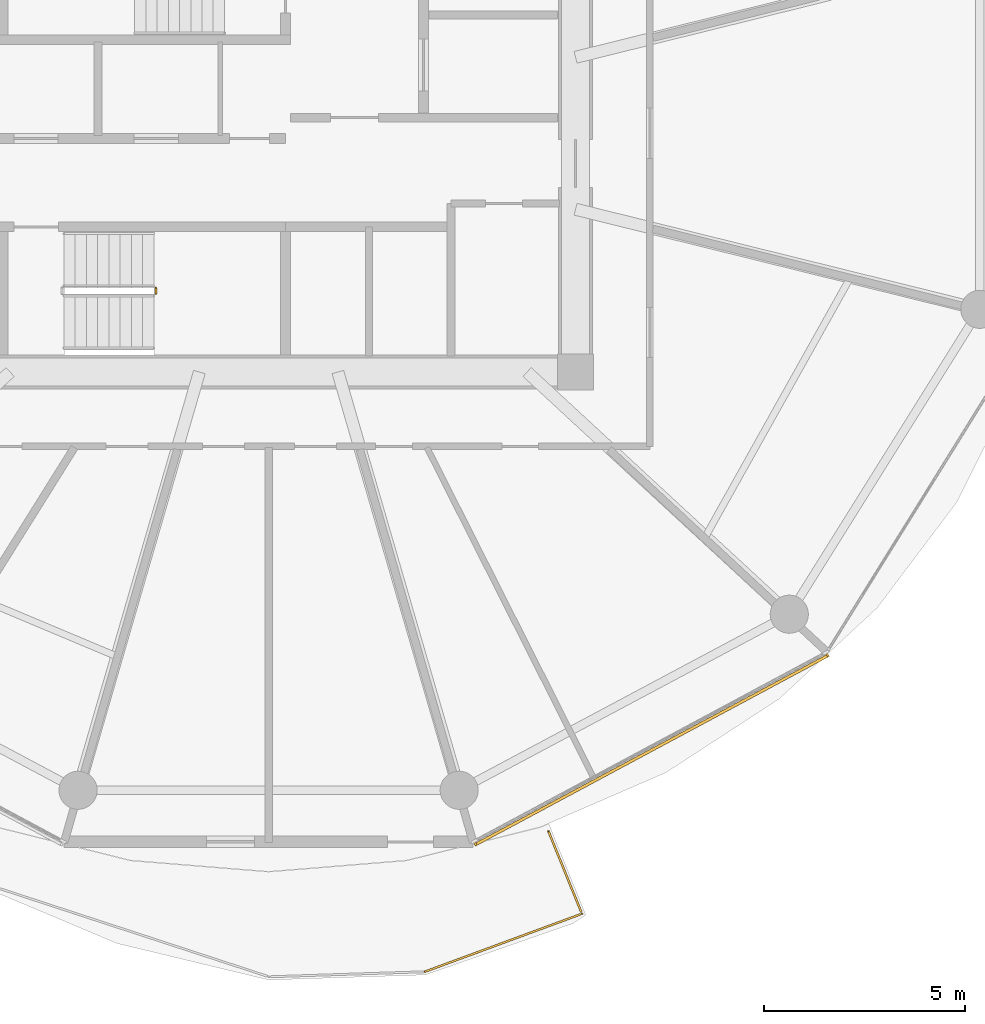
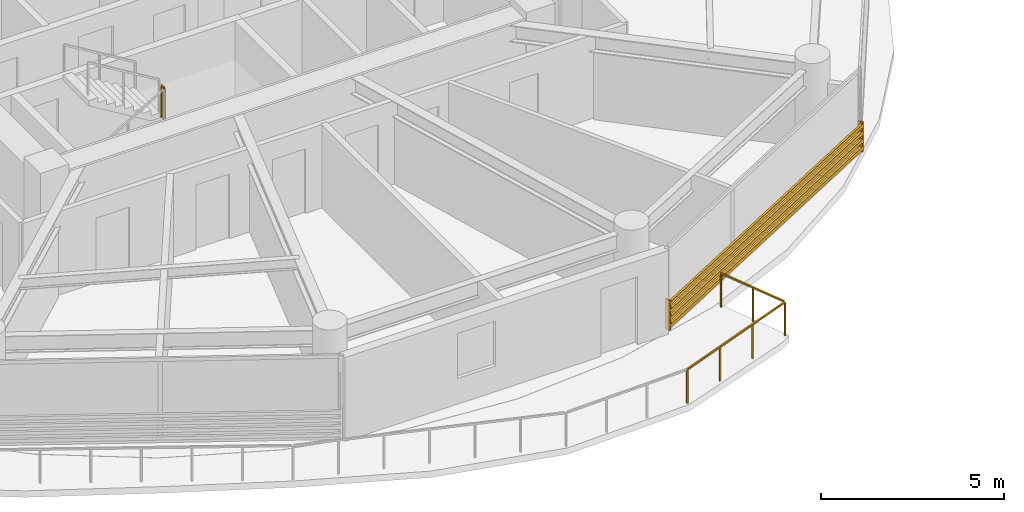
# One storey, part 23 of 27: 2 railings, 1 shading device.
"""IFC4 building model written with IfcOpenShell, lengths in metres."""

from ifc_helpers import new_model, si_unit, direction, frame, origin, origin_2d, place, context, subcontext, project, spatial, rectangle, extrude, source, transform, mapped, material, type_object, type_shapes, element, save


model = new_model("IFC4")

# Units and contexts
model_context = context("Model", 3, precision=1e-05, world=origin(), true_north=direction((0.0, 1.0)))
body_context = subcontext(model_context, "Body", "Model", "MODEL_VIEW")
ifc_project = project(units=[si_unit("LENGTHUNIT", "METRE"), si_unit("AREAUNIT", "SQUARE_METRE"), si_unit("VOLUMEUNIT", "CUBIC_METRE"), si_unit("PLANEANGLEUNIT", "RADIAN"), si_unit("MASSUNIT", "GRAM", prefix="KILO")], contexts=[model_context])

# Site, building, storey
site_placement = place(None, origin())
site = spatial("IfcSite", under=ifc_project, at=site_placement, CompositionType="ELEMENT")
building_placement = place(site_placement, origin())
building = spatial("IfcBuilding", under=site, at=building_placement, Name="Norrkilde Senior Care Towers", CompositionType="ELEMENT")
storey_placement = place(building_placement, frame((0.0, 0.0, 46.0)))
storey = spatial("IfcBuildingStorey", under=building, at=storey_placement, Name="L13", CompositionType="ELEMENT", Elevation=46.0)

# Railings
ifc_material_1 = material(Name="Anodised Aluminium", Category="aluminium")
railing_type_1 = type_object("IfcRailingType", Name="Balcony Swirl Ribbon Guardrail 1150", PredefinedType="GUARDRAIL", material=ifc_material_1)
railing_1_placement = place(storey_placement, frame((-21.024658203125, -17.3984375, 0.0)))
element("IfcRailing", 1, at=railing_1_placement, inside=storey, type_object=railing_type_1, Name="L13 Perimeter Safety Guard 04", PredefinedType="GUARDRAIL", context=body_context, shape_type="SweptSolid", body=[
    extrude(rectangle(XDim=0.048095703125, YDim=0.048095703125, at=origin_2d()), frame((0.0, 0.0, 1.1259765625), z_axis=(0.37613751967, -0.926563849012, 0.0), x_axis=(0.926563849012, 0.37613751967, 0.0)), (0.0, 0.0, 1.0), 2.173828125),
    extrude(rectangle(XDim=0.048095703125, YDim=0.048095703125, at=origin_2d()), frame((0.794677734375, -2.066162109375, 1.1259765625), z_axis=(-0.938216264837, -0.346049476803, 0.0), x_axis=(0.346049476803, -0.938216264837, 0.0)), (0.0, 0.0, 1.0), 4.13427734375),
    extrude(rectangle(XDim=0.0419921875, YDim=0.0419921875, at=origin_2d()), origin(), (0.0, 0.0, 1.0), 1.099853515625),
    extrude(rectangle(XDim=0.0419921875, YDim=0.0419921875, at=origin_2d()), frame((0.41650390625, -1.02587890625, 0.0)), (0.0, 0.0, 1.0), 1.099853515625),
    extrude(rectangle(XDim=0.0419921875, YDim=0.0419921875, at=origin_2d()), frame((0.8330078125, -2.052001953125, 0.0)), (0.0, 0.0, 1.0), 1.099853515625),
    extrude(rectangle(XDim=0.0419921875, YDim=0.0419921875, at=origin_2d()), frame((-0.47265625, -2.53369140625, 0.0)), (0.0, 0.0, 1.0), 1.099853515625),
    extrude(rectangle(XDim=0.0419921875, YDim=0.0419921875, at=origin_2d()), frame((-1.778564453125, -3.01513671875, 0.0)), (0.0, 0.0, 1.0), 1.099853515625),
    extrude(rectangle(XDim=0.0419921875, YDim=0.0419921875, at=origin_2d()), frame((-3.084228515625, -3.496826171875, 0.0)), (0.0, 0.0, 1.0), 1.099853515625),
])
ifc_material_2 = material(Name="Stainless Steel", Category="steel")
railing_type_2 = type_object("IfcRailingType", Name="Stair and Terrace Guardrail 1100", PredefinedType="GUARDRAIL", material=ifc_material_2)
railing_2_placement = place(storey_placement, frame((-30.81005859375, -4.0, 1.52490234375)))
element("IfcRailing", 2, at=railing_2_placement, inside=storey, type_object=railing_type_2, Name="L13 ST-W2 stair guard 2", PredefinedType="GUARDRAIL", context=body_context, shape_type="SweptSolid", body=[
    extrude(rectangle(XDim=0.048095703125, YDim=0.048095703125, at=origin_2d()), frame((0.0, 0.0, 1.076171875), z_axis=(0.0, 1.0, 0.0), x_axis=(-1.0, 0.0, 0.0)), (0.0, 0.0, 1.0), 0.14990234375),
    extrude(rectangle(XDim=0.0419921875, YDim=0.0419921875, at=origin_2d()), origin(), (0.0, 0.0, 1.0), 1.050048828125),
    extrude(rectangle(XDim=0.0419921875, YDim=0.0419921875, at=origin_2d()), frame((0.0, 0.14990234375, 0.0)), (0.0, 0.0, 1.0), 1.050048828125),
])

# Shading device
ifc_material_3 = material(Name="Architectural Terracotta", Category="masonry")
shading_device_type = type_object("IfcShadingDeviceType", Name="Horizontal Terracotta Baguette Rack", PredefinedType="USERDEFINED", material=ifc_material_3)
shared_shape = source(origin(), body_context, "Body", "SweptSolid", [
    extrude(rectangle(XDim=0.070068359375, YDim=0.110107421875, at=origin_2d()), frame((0.0, 0.090087890625, 0.125), z_axis=(1.0, 0.0, 0.0), x_axis=(0.0, 1.0, 0.0)), (0.0, 0.0, 1.0), 10.0107421875),
    extrude(rectangle(XDim=0.070068359375, YDim=0.110107421875, at=origin_2d()), frame((0.0, 0.090087890625, 0.375), z_axis=(1.0, 0.0, 0.0), x_axis=(0.0, 1.0, 0.0)), (0.0, 0.0, 1.0), 10.0107421875),
    extrude(rectangle(XDim=0.070068359375, YDim=0.110107421875, at=origin_2d()), frame((0.0, 0.090087890625, 0.625), z_axis=(1.0, 0.0, 0.0), x_axis=(0.0, 1.0, 0.0)), (0.0, 0.0, 1.0), 10.0107421875),
    extrude(rectangle(XDim=0.070068359375, YDim=0.110107421875, at=origin_2d()), frame((0.0, 0.090087890625, 0.875), z_axis=(1.0, 0.0, 0.0), x_axis=(0.0, 1.0, 0.0)), (0.0, 0.0, 1.0), 10.0107421875),
    extrude(rectangle(XDim=0.050048828125, YDim=0.1552734375, at=origin_2d()), frame((0.02490234375, 0.047607421875, 0.0)), (0.0, 0.0, 1.0), 1.0),
    extrude(rectangle(XDim=0.050048828125, YDim=0.1552734375, at=origin_2d()), frame((9.98583984375, 0.047607421875, 0.0)), (0.0, 0.0, 1.0), 1.0),
])
type_shapes(shading_device_type, [shared_shape])
shading_device_placement = place(storey_placement, frame((-14.084228515625, -12.926025390625, 0.080078125), z_axis=(0.0, 0.0, 1.0), x_axis=(-0.881279875134, -0.472612428056, 0.0)))
element("IfcShadingDevice", 3, at=shading_device_placement, inside=storey, type_object=shading_device_type, Name="L13 Drum W Terracotta Baguette Screen 09", ObjectType="BAGUETTE", PredefinedType="USERDEFINED", context=body_context, shape_type="MappedRepresentation", body=[
    mapped(shared_shape, transform((0.0, 0.0, 0.0), x_axis=(1.0, 0.0, 0.0), y_axis=(0.0, 1.0, 0.0), z_axis=(0.0, 0.0, 1.0), scale=1.0)),
])

save(model, "model.ifc")
